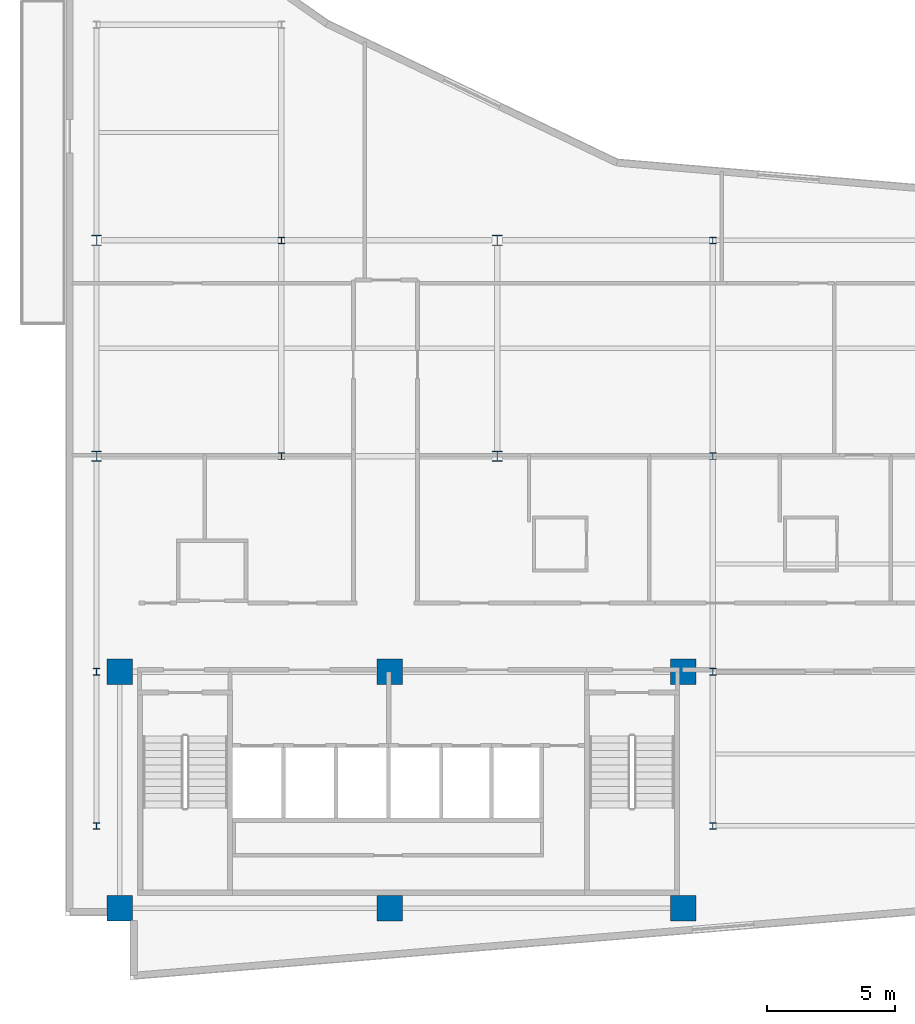
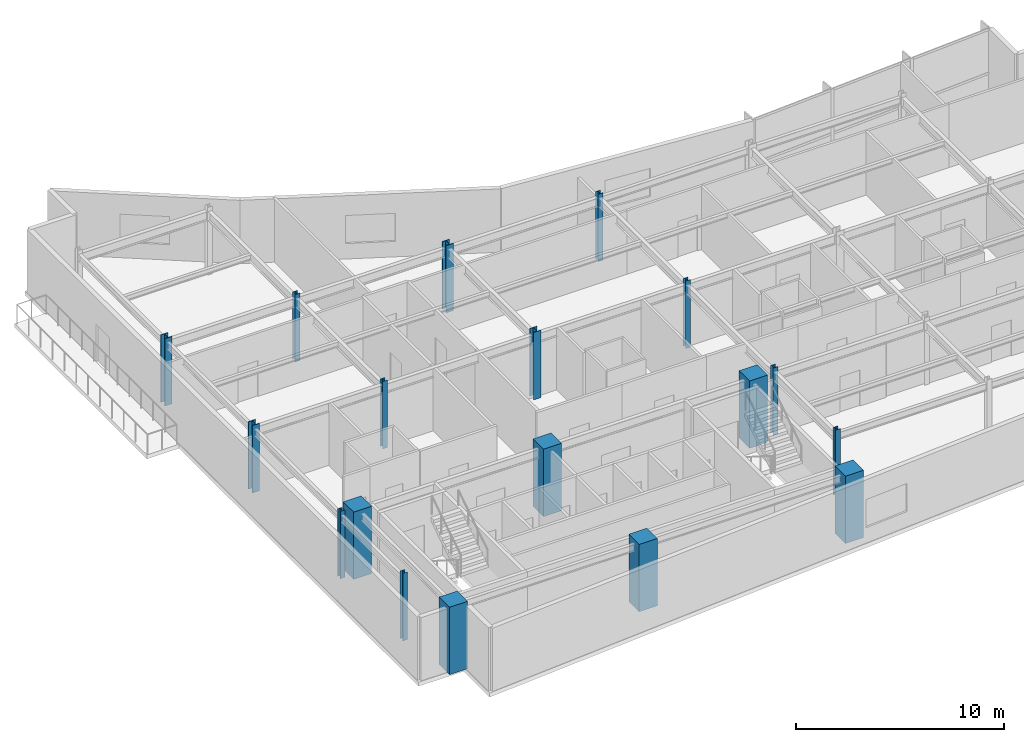
# One storey, part 1 of 17: 18 columns.
"""IFC4 building model written with IfcOpenShell, lengths in metres."""

import ifcopenshell
import ifcopenshell.guid

model = None  # the IFC model being written
_history = None  # IfcOwnerHistory: only IFC2X3 demands one
_inside = {}  # id of a spatial element -> (the spatial element, [elements in it])
_under = {}  # id of a project, library or spatial element -> (it, [spatial elements below it])
_declared = {}  # id of a project -> (the project, [libraries it declares])
_typed = {}  # id of a type object -> (the type object, [elements of that type])
_made_of = {}  # id of a material, layer set ... -> (it, [elements and type objects made of it])


def new_model(schema):
    """Start an empty IFC model of exactly this schema.

    Asked for "IFC4X3", IfcOpenShell would pick the latest addendum, in which some entities
    have other attributes; the version numbers below select the first issue.
    IFC2X3 requires an IfcOwnerHistory on every rooted entity: one is made here for all.
    """
    global model, _history
    if schema == "IFC4X3":
        model = ifcopenshell.file(schema_version=(4, 3, 0, 0))
    else:
        model = ifcopenshell.file(schema=schema)
    _inside.clear()
    _under.clear()
    _declared.clear()
    _typed.clear()
    _made_of.clear()
    _history = None
    if model.schema == "IFC2X3":
        org = make("IfcOrganization", Name="unknown")
        user = make(
            "IfcPersonAndOrganization",
            ThePerson=make("IfcPerson", FamilyName="unknown"),
            TheOrganization=org,
        )
        app = make(
            "IfcApplication",
            ApplicationDeveloper=org,
            Version="unknown",
            ApplicationFullName="unknown",
            ApplicationIdentifier="unknown",
        )
        _history = make(
            "IfcOwnerHistory",
            OwningUser=user,
            OwningApplication=app,
            ChangeAction="ADDED",
            CreationDate=0,
        )
    return model


def make(cls, **values):
    """One entity of the class cls with the attributes given. An attribute that is None is left unset."""
    return model.create_entity(
        cls, **{name: value for name, value in values.items() if value is not None}
    )


def rooted(cls, **values):
    """An entity with a GlobalId (a new one), such as an element, a storey or a relation."""
    return make(cls, GlobalId=ifcopenshell.guid.new(), OwnerHistory=_history, **values)


def si_unit(unit_type, name, prefix=None):
    """IfcSIUnit, for example si_unit("LENGTHUNIT", "METRE", prefix="MILLI")."""
    return make("IfcSIUnit", UnitType=unit_type, Prefix=prefix, Name=name)


def assignment(units):
    """IfcUnitAssignment: the units of a project."""
    return None if units is None else make("IfcUnitAssignment", Units=units)


def point(xyz):
    """IfcCartesianPoint."""
    return None if xyz is None else make("IfcCartesianPoint", Coordinates=xyz)


def direction(xyz):
    """IfcDirection."""
    return None if xyz is None else make("IfcDirection", DirectionRatios=xyz)


def frame(location, z_axis=None, x_axis=None):
    """IfcAxis2Placement3D, a coordinate frame: its origin and axes. An axis left out is left unset."""
    return make(
        "IfcAxis2Placement3D",
        Location=point(location),
        Axis=direction(z_axis),
        RefDirection=direction(x_axis),
    )


def frame_2d(location, x_axis=None):
    """IfcAxis2Placement2D, a coordinate frame in the plane: its origin and x axis."""
    return make(
        "IfcAxis2Placement2D", Location=point(location), RefDirection=direction(x_axis)
    )


def origin():
    """The frame at (0, 0, 0) with its axes left unset."""
    return frame((0.0, 0.0, 0.0))


def origin_2d():
    """The frame at (0, 0) in the plane with its x axis left unset."""
    return frame_2d((0.0, 0.0))


def place(relative_to, where):
    """IfcLocalPlacement: puts the frame where relative to a parent placement (None: the world)."""
    return make(
        "IfcLocalPlacement", PlacementRelTo=relative_to, RelativePlacement=where
    )


def context(
    kind, dimensions, precision=None, world=None, true_north=None, identifier=None
):
    """IfcGeometricRepresentationContext, for example the 3D "Model" context."""
    return make(
        "IfcGeometricRepresentationContext",
        ContextIdentifier=identifier,
        ContextType=kind,
        CoordinateSpaceDimension=dimensions,
        Precision=precision,
        WorldCoordinateSystem=world,
        TrueNorth=true_north,
    )


def subcontext(parent, identifier, kind, view, scale=None):
    """IfcGeometricRepresentationSubContext, for example "Body" below "Model"."""
    return make(
        "IfcGeometricRepresentationSubContext",
        ContextIdentifier=identifier,
        ContextType=kind,
        ParentContext=parent,
        TargetScale=scale,
        TargetView=view,
    )


def project(units=None, contexts=None):
    """IfcProject with its units and contexts."""
    return rooted(
        "IfcProject",
        Name="project",
        RepresentationContexts=contexts,
        UnitsInContext=assignment(units),
    )


def spatial(cls, under=None, at=None, **own):
    """A site, building, storey or space (cls), placed at a placement, below another one or the project."""
    s = rooted(cls, ObjectPlacement=at, **own)
    if under is not None:
        _under.setdefault(under.id(), (under, []))[1].append(s)
    return s


def profile(cls, at=None, kind="AREA", **sizes):
    """A parametric profile (cls). Its sizes go by their IFC names, for example OverallWidth=200.0."""
    return make(cls, ProfileType=kind, Position=at, **sizes)


def rectangle(**sizes):
    """IfcRectangleProfileDef."""
    return profile("IfcRectangleProfileDef", **sizes)


def i_section(**sizes):
    """IfcIShapeProfileDef."""
    return profile("IfcIShapeProfileDef", **sizes)


def extrude(swept, where, along, depth):
    """IfcExtrudedAreaSolid: the profile swept, set in the frame where, extruded along a direction by depth."""
    return make(
        "IfcExtrudedAreaSolid",
        SweptArea=swept,
        Position=where,
        ExtrudedDirection=direction(along),
        Depth=depth,
    )


def shape(context_of_items, identifier, shape_type, items):
    """IfcShapeRepresentation: the items that make up one representation, for example the "Body"."""
    return make(
        "IfcShapeRepresentation",
        ContextOfItems=context_of_items,
        RepresentationIdentifier=identifier,
        RepresentationType=shape_type,
        Items=items,
    )


def material(Name=None, Category=None):
    """IfcMaterial."""
    return make("IfcMaterial", Name=Name, Category=Category)


def material_profile(
    of_material, cross_section, Name=None, Category=None, Priority=None
):
    """IfcMaterialProfile: a cross section and its material."""
    return make(
        "IfcMaterialProfile",
        Name=Name,
        Material=of_material,
        Profile=cross_section,
        Priority=Priority,
        Category=Category,
    )


def profile_set(profiles, Name=None, composite=None):
    """IfcMaterialProfileSet."""
    return make(
        "IfcMaterialProfileSet",
        Name=Name,
        MaterialProfiles=profiles,
        CompositeProfile=composite,
    )


def made_of(thing, what):
    """Note that an element or type object is made of a material, layer set ...; save() writes the relation."""
    if what is not None:
        _made_of.setdefault(what.id(), (what, []))[1].append(thing)
    return thing


def type_object(cls, material=None, **own):
    """A type object (cls), such as IfcWallType, which elements share."""
    return made_of(rooted(cls, **own), material)


def element(
    cls,
    number,
    at=None,
    inside=None,
    cuts=None,
    type_object=None,
    material=None,
    context=None,
    identifier="Body",
    shape_type=None,
    held_by="IfcProductDefinitionShape",
    body=None,
    shapes=None,
    **own,
):
    """One element of the class cls, such as IfcWall. Its Tag is "e" and its number.

    at: its placement. inside: the storey or other place that contains it. cuts: it is an
    opening in that element (IfcRelVoidsElement). A single representation is given by context,
    identifier, shape_type and body (its items); several are given by shapes. held_by: the class
    of the entity that holds the representations. save() writes the other relations.
    """
    e = rooted(cls, Tag="e%d" % number, ObjectPlacement=at, **own)
    if body is not None:
        shapes = [shape(context, identifier, shape_type, body)]
    if shapes is not None:
        e.Representation = make(held_by, Representations=shapes)
    if inside is not None:
        _inside.setdefault(inside.id(), (inside, []))[1].append(e)
    if cuts is not None:
        rooted(
            "IfcRelVoidsElement", RelatingBuildingElement=cuts, RelatedOpeningElement=e
        )
    if type_object is not None:
        _typed.setdefault(type_object.id(), (type_object, []))[1].append(e)
    return made_of(e, material)


def aggregate(whole, parts):
    """IfcRelAggregates: a whole, such as a stair, and the parts it consists of."""
    return rooted("IfcRelAggregates", RelatingObject=whole, RelatedObjects=parts)


def save(model, path):
    """Write the relations noted so far, then the file.

    IfcRelAggregates (storeys below a building ...), IfcRelContainedInSpatialStructure (elements
    in a storey), IfcRelDefinesByType, IfcRelAssociatesMaterial and IfcRelDeclares: one each for
    every whole, place, type object, material and project.
    """
    for whole, parts in _under.values():
        aggregate(whole, parts)
    for where, things in _inside.values():
        rooted(
            "IfcRelContainedInSpatialStructure",
            RelatedElements=things,
            RelatingStructure=where,
        )
    for kind, things in _typed.values():
        rooted("IfcRelDefinesByType", RelatedObjects=things, RelatingType=kind)
    for what, things in _made_of.values():
        rooted("IfcRelAssociatesMaterial", RelatedObjects=things, RelatingMaterial=what)
    for by, libraries in _declared.values():
        rooted("IfcRelDeclares", RelatingContext=by, RelatedDefinitions=libraries)
    model.write(path)


model = new_model("IFC4")

# Units and contexts
model_context = context("Model", 3, precision=1e-05, world=origin(), true_north=direction((0.0, 1.0)))
body_context = subcontext(model_context, "Body", "Model", "MODEL_VIEW")
ifc_project = project(units=[si_unit("LENGTHUNIT", "METRE"), si_unit("AREAUNIT", "SQUARE_METRE"), si_unit("VOLUMEUNIT", "CUBIC_METRE"), si_unit("PLANEANGLEUNIT", "RADIAN"), si_unit("MASSUNIT", "GRAM", prefix="KILO")], contexts=[model_context])

# Site, building, storey
site_placement = place(None, origin())
site = spatial("IfcSite", under=ifc_project, at=site_placement, CompositionType="ELEMENT")
building_placement = place(site_placement, origin())
building = spatial("IfcBuilding", under=site, at=building_placement, Name="Varnakote Quay Hospital", CompositionType="ELEMENT")
storey_placement = place(building_placement, frame((0.0, 0.0, 203.949951171875)))
storey = spatial("IfcBuildingStorey", under=building, at=storey_placement, Name="L50", CompositionType="ELEMENT", Elevation=203.949951171875)

# Columns
ifc_material_1 = material(Name="Concrete N65 (f'c 65 MPa)", Category="concrete")
ifc_material_profile_1 = material_profile(ifc_material_1, rectangle(XDim=1.0, YDim=1.0, at=origin_2d()), Name="RC-COL-1000x1000")
ifc_profile_set_1 = profile_set([ifc_material_profile_1], Name="Concrete N65 (f'c 65 MPa)")
column_type_1 = type_object("IfcColumnType", Name="COL-RC-1000", PredefinedType="COLUMN", material=ifc_profile_set_1)
for number, where, z_axis, x_axis, name in (
    (1, (2.10009765625, 2.800048828125, 0.0), (0.0, 0.0, 1.0), (1.0, 0.0, 0.0), "L50 Structural Column C-2-3"),
    (2, (12.6201171875, 2.800048828125, 0.0), (0.0, 0.0, 1.0), (1.0, 0.0, 0.0), "L50 Structural Column C-13-3"),
    (3, (24.050048828125, 2.800048828125, 0.0), (0.0, 0.0, 1.0), (1.0, 0.0, 0.0), "L50 Structural Column C-24-3"),
    (4, (2.10009765625, 12.0, 0.0), (0.0, 0.0, 1.0), (1.0, 0.0, 0.0), "L50 Structural Column C-2-12"),
    (5, (12.6201171875, 12.0, 0.0), (0.0, 0.0, 1.0), (1.0, 0.0, 0.0), "L50 Structural Column C-13-12"),
    (6, (24.050048828125, 12.0, 0.0), (0.0, 0.0, 1.0), (1.0, 0.0, 0.0), "L50 Structural Column C-24-12"),
):
    element("IfcColumn", number, at=place(storey_placement, frame(where, z_axis=z_axis, x_axis=x_axis)), inside=storey, type_object=column_type_1, Name=name, PredefinedType="COLUMN", context=body_context, shape_type="SweptSolid", body=[
        extrude(rectangle(XDim=1.0, YDim=1.0, at=origin_2d()), origin(), (0.0, 0.0, 1.0), 3.949951171875),
    ])
ifc_material_2 = material(Name="Structural steel AS/NZS 3679.1 Grade 350 L0 (fy 340 MPa)", Category="steel")
ifc_material_profile_2 = material_profile(ifc_material_2, i_section(OverallWidth=0.256103515625, OverallDepth=0.260009765625, WebThickness=0.010498046875, FlangeThickness=0.017333984375, FilletRadius=0.0126953125, at=origin_2d()), Name="250UC89.5")
ifc_profile_set_2 = profile_set([ifc_material_profile_2], Name="Structural steel AS/NZS 3679.1 Grade 350 L0 (fy 340 MPa)")
column_type_2 = type_object("IfcColumnType", Name="COL-STL-250UC89-5", PredefinedType="COLUMN", material=ifc_profile_set_2)
for number, where, z_axis, x_axis, name in (
    (7, (1.199951171875, 6.0, 0.0), (0.0, 0.0, 1.0), (1.0, 0.0, 0.0), "L50 Structural Column C-1-6"),
    (8, (25.199951171875, 6.0, 0.0), (0.0, 0.0, 1.0), (1.0, 0.0, 0.0), "L50 Structural Column C-25-6"),
    (9, (1.199951171875, 12.0, 0.0), (0.0, 0.0, 1.0), (1.0, 0.0, 0.0), "L50 Structural Column C-1-12"),
    (10, (25.199951171875, 12.0, 0.0), (0.0, 0.0, 1.0), (1.0, 0.0, 0.0), "L50 Structural Column C-25-12"),
    (11, (8.39990234375, 20.39990234375, 0.0), (0.0, 0.0, 1.0), (1.0, 0.0, 0.0), "L50 Structural Column C-8-20"),
    (12, (25.199951171875, 20.39990234375, 0.0), (0.0, 0.0, 1.0), (1.0, 0.0, 0.0), "L50 Structural Column C-25-20"),
    (13, (8.39990234375, 28.800048828125, 0.0), (0.0, 0.0, 1.0), (1.0, 0.0, 0.0), "L50 Structural Column C-8-29"),
    (14, (25.199951171875, 28.800048828125, 0.0), (0.0, 0.0, 1.0), (1.0, 0.0, 0.0), "L50 Structural Column C-25-29"),
):
    element("IfcColumn", number, at=place(storey_placement, frame(where, z_axis=z_axis, x_axis=x_axis)), inside=storey, type_object=column_type_2, Name=name, PredefinedType="COLUMN", context=body_context, shape_type="SweptSolid", body=[
        extrude(i_section(OverallWidth=0.256103515625, OverallDepth=0.260009765625, WebThickness=0.010498046875, FlangeThickness=0.017333984375, FilletRadius=0.0126953125, at=origin_2d()), origin(), (0.0, 0.0, 1.0), 3.949951171875),
    ])
ifc_material_3 = material(Name="Structural steel AS/NZS 3678 Grade 350 (fy 340 MPa)", Category="steel")
ifc_material_profile_3 = material_profile(ifc_material_3, i_section(OverallWidth=0.39990234375, OverallDepth=0.404052734375, WebThickness=0.02001953125, FlangeThickness=0.031982421875, at=origin_2d()), Name="400WC270")
ifc_profile_set_3 = profile_set([ifc_material_profile_3], Name="Structural steel AS/NZS 3678 Grade 350 (fy 340 MPa)")
column_type_3 = type_object("IfcColumnType", Name="COL-STL-400WC270", PredefinedType="COLUMN", material=ifc_profile_set_3)
for number, where, z_axis, x_axis, name in (
    (15, (1.199951171875, 20.39990234375, 0.0), (0.0, 0.0, 1.0), (1.0, 0.0, 0.0), "L50 Structural Column C-1-20"),
    (16, (16.800048828125, 20.39990234375, 0.0), (0.0, 0.0, 1.0), (1.0, 0.0, 0.0), "L50 Structural Column C-17-20"),
    (17, (1.199951171875, 28.800048828125, 0.0), (0.0, 0.0, 1.0), (1.0, 0.0, 0.0), "L50 Structural Column C-1-29"),
    (18, (16.800048828125, 28.800048828125, 0.0), (0.0, 0.0, 1.0), (1.0, 0.0, 0.0), "L50 Structural Column C-17-29"),
):
    element("IfcColumn", number, at=place(storey_placement, frame(where, z_axis=z_axis, x_axis=x_axis)), inside=storey, type_object=column_type_3, Name=name, PredefinedType="COLUMN", context=body_context, shape_type="SweptSolid", body=[
        extrude(i_section(OverallWidth=0.39990234375, OverallDepth=0.404052734375, WebThickness=0.02001953125, FlangeThickness=0.031982421875, at=origin_2d()), origin(), (0.0, 0.0, 1.0), 3.949951171875),
    ])

save(model, "model.ifc")
